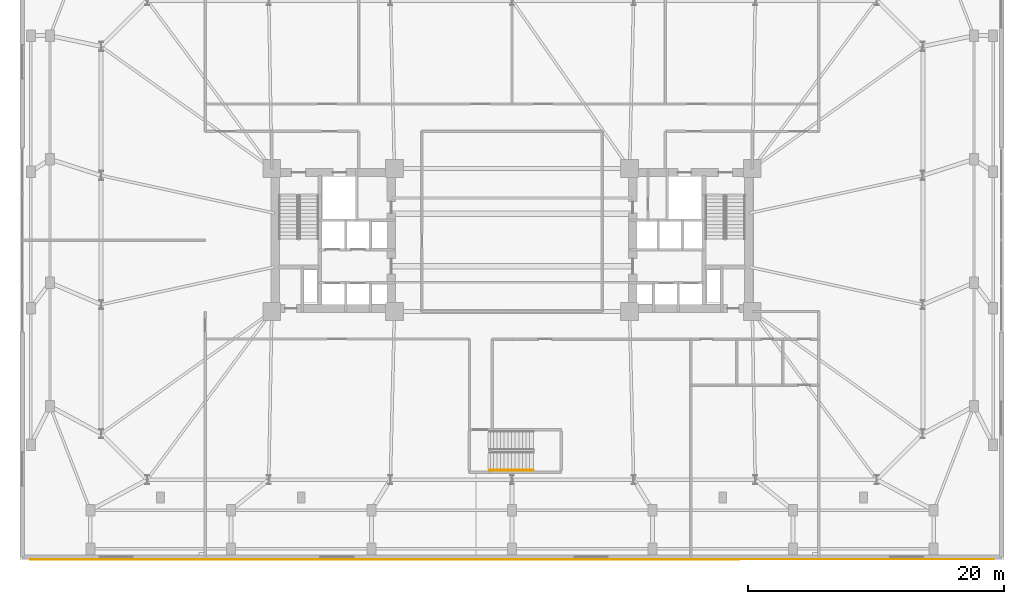
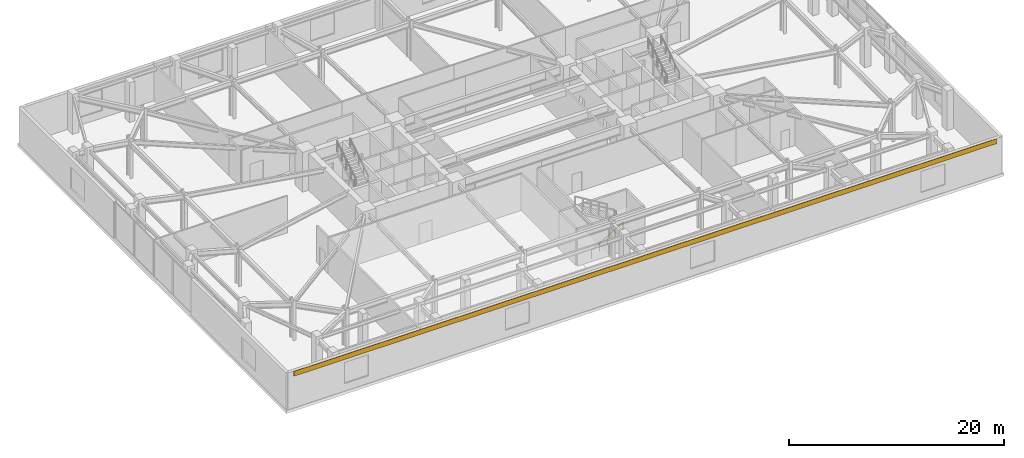
# One storey, part 21 of 23: 1 covering, 1 railing.
"""IFC4 building model written with IfcOpenShell, lengths in metres."""

from ifc_helpers import new_model, si_unit, direction, frame, origin, origin_2d, place, context, subcontext, project, spatial, polyline, circle, outline, extrude, material, layer, layer_set, type_object, element, save


model = new_model("IFC4")

# Units and contexts
model_context = context("Model", 3, precision=1e-05, world=origin(), true_north=direction((0.0, 1.0)))
body_context = subcontext(model_context, "Body", "Model", "MODEL_VIEW")
ifc_project = project(units=[si_unit("LENGTHUNIT", "METRE"), si_unit("AREAUNIT", "SQUARE_METRE"), si_unit("VOLUMEUNIT", "CUBIC_METRE"), si_unit("PLANEANGLEUNIT", "RADIAN"), si_unit("MASSUNIT", "GRAM", prefix="KILO")], contexts=[model_context])

# Site, building, storey
site_placement = place(None, origin())
site = spatial("IfcSite", under=ifc_project, at=site_placement, CompositionType="ELEMENT")
building_placement = place(site_placement, origin())
building = spatial("IfcBuilding", under=site, at=building_placement, Name="Qobustan Lattice House", CompositionType="ELEMENT")
storey_placement = place(building_placement, frame((0.0, 0.0, 9.0)))
storey = spatial("IfcBuildingStorey", under=building, at=storey_placement, Name="L02", CompositionType="ELEMENT", Elevation=9.0)

# Covering
ifc_material_1 = material(Name="Qobustan buff limestone cladding", Category="masonry")
ifc_layer = layer(ifc_material_1, 0.044921875)
ifc_layer_set = layer_set([ifc_layer], Name="Qobustan buff limestone cladding")
covering_type = type_object("IfcCoveringType", Name="COV-STONE-CLAD", PredefinedType="CLADDING", material=ifc_layer_set)
covering_placement = place(storey_placement, frame((0.0, 0.0, 3.6201171875)))
element("IfcCovering", 1, at=covering_placement, inside=storey, type_object=covering_type, Name="L02 S Qobustan limestone cornice band", PredefinedType="CLADDING", context=body_context, shape_type="SweptSolid", body=[
    extrude(outline(polyline([(37.699951171875, -24.9580078125), (37.699951171875, -25.0029296875), (-37.699951171875, -25.0029296875), (-37.699951171875, -24.9580078125), (37.699951171875, -24.9580078125)])), origin(), (0.0, 0.0, 1.0), 0.5498046875),
])

# Railing
ifc_material_2 = material(Name="Brushed stainless steel handrail", Category="steel")
railing_type = type_object("IfcRailingType", Name="RAL-HR-920", PredefinedType="HANDRAIL", material=ifc_material_2)
railing_placement = place(storey_placement, frame((-1.75, -18.010009765625, 0.173095703125)))
element("IfcRailing", 2, at=railing_placement, inside=storey, type_object=railing_type, Name="L02 ST-P1 stair handrail 1", PredefinedType="HANDRAIL", context=body_context, shape_type="SweptSolid", body=[
    extrude(circle(Radius=0.02392578125, at=origin_2d()), frame((0.0, 0.0, 0.8759765625), z_axis=(0.854729506542, 0.0, 0.519073665916), x_axis=(0.0, 1.0, 0.0)), (0.0, 0.0, 1.0), 4.001220703125),
    extrude(circle(Radius=0.02099609375, at=origin_2d()), origin(), (0.0, 0.0, 1.0), 0.851806640625),
    extrude(circle(Radius=0.02099609375, at=origin_2d()), frame((0.85498046875, 0.0, 0.519287109375)), (0.0, 0.0, 1.0), 0.851806640625),
    extrude(circle(Radius=0.02099609375, at=origin_2d()), frame((1.7099609375, 0.0, 1.03857421875)), (0.0, 0.0, 1.0), 0.851806640625),
    extrude(circle(Radius=0.02099609375, at=origin_2d()), frame((2.56494140625, 0.0, 1.5576171875)), (0.0, 0.0, 1.0), 0.851806640625),
    extrude(circle(Radius=0.02099609375, at=origin_2d()), frame((3.419921875, 0.0, 2.076904296875)), (0.0, 0.0, 1.0), 0.851806640625),
])

save(model, "model.ifc")
